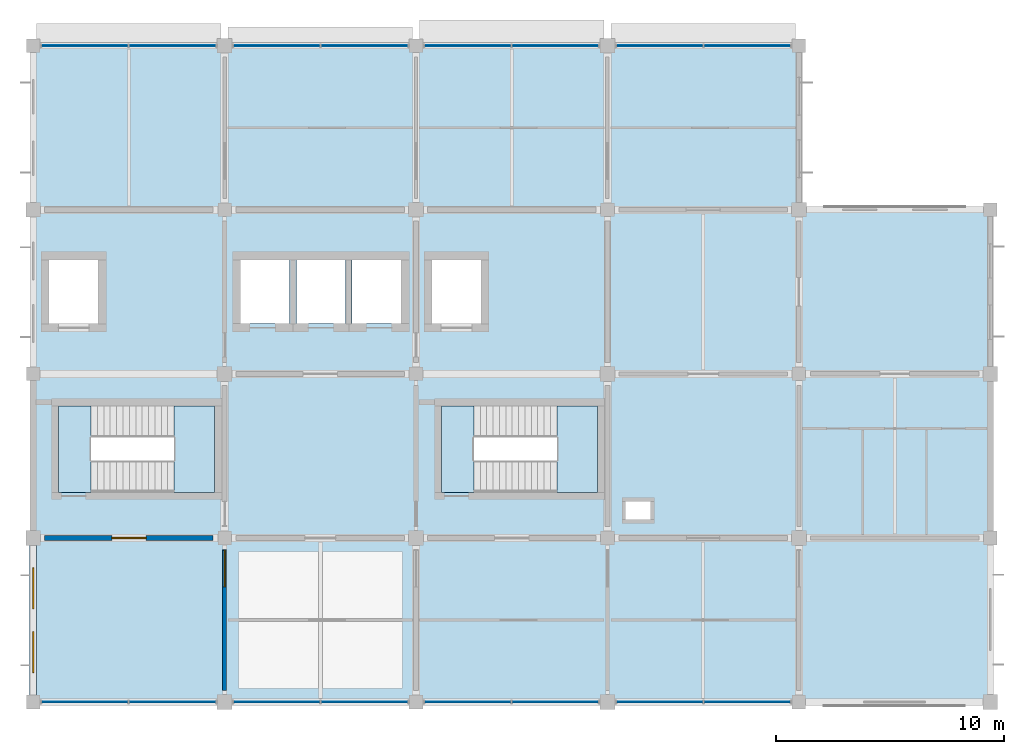
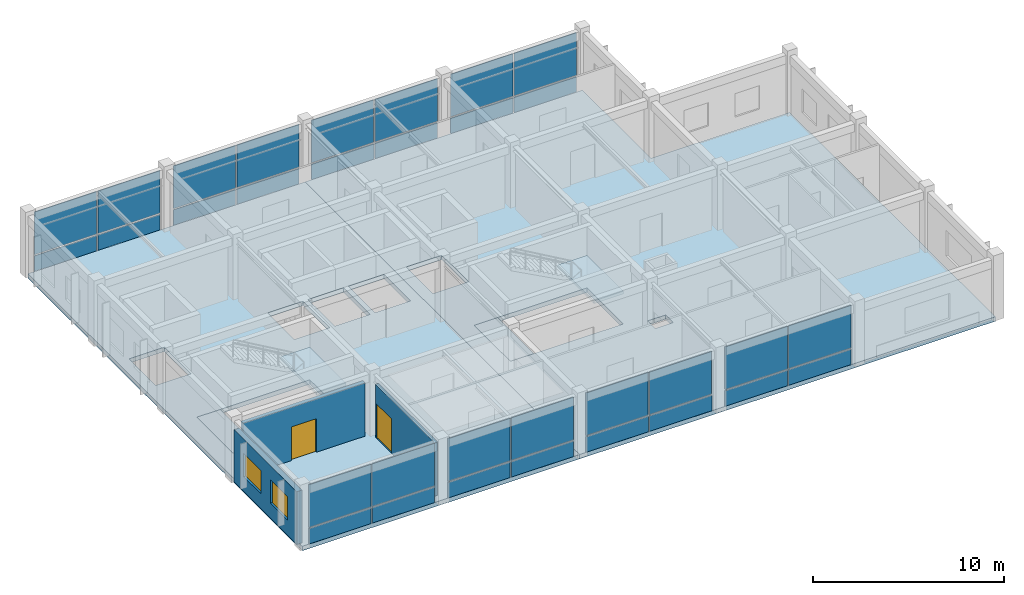
# One storey, part 7 of 13: 32 plates, 6 slabs, 3 walls, 2 doors, 2 windows, 4 openings, 10 elements without a shape of their own.
"""IFC4 building model written with IfcOpenShell, lengths in metres."""

import ifcopenshell
import ifcopenshell.guid

model = None  # the IFC model being written
_history = None  # IfcOwnerHistory: only IFC2X3 demands one
_inside = {}  # id of a spatial element -> (the spatial element, [elements in it])
_under = {}  # id of a project, library or spatial element -> (it, [spatial elements below it])
_declared = {}  # id of a project -> (the project, [libraries it declares])
_typed = {}  # id of a type object -> (the type object, [elements of that type])
_made_of = {}  # id of a material, layer set ... -> (it, [elements and type objects made of it])


def new_model(schema):
    """Start an empty IFC model of exactly this schema.

    Asked for "IFC4X3", IfcOpenShell would pick the latest addendum, in which some entities
    have other attributes; the version numbers below select the first issue.
    IFC2X3 requires an IfcOwnerHistory on every rooted entity: one is made here for all.
    """
    global model, _history
    if schema == "IFC4X3":
        model = ifcopenshell.file(schema_version=(4, 3, 0, 0))
    else:
        model = ifcopenshell.file(schema=schema)
    _inside.clear()
    _under.clear()
    _declared.clear()
    _typed.clear()
    _made_of.clear()
    _history = None
    if model.schema == "IFC2X3":
        org = make("IfcOrganization", Name="unknown")
        user = make(
            "IfcPersonAndOrganization",
            ThePerson=make("IfcPerson", FamilyName="unknown"),
            TheOrganization=org,
        )
        app = make(
            "IfcApplication",
            ApplicationDeveloper=org,
            Version="unknown",
            ApplicationFullName="unknown",
            ApplicationIdentifier="unknown",
        )
        _history = make(
            "IfcOwnerHistory",
            OwningUser=user,
            OwningApplication=app,
            ChangeAction="ADDED",
            CreationDate=0,
        )
    return model


def make(cls, **values):
    """One entity of the class cls with the attributes given. An attribute that is None is left unset."""
    return model.create_entity(
        cls, **{name: value for name, value in values.items() if value is not None}
    )


def rooted(cls, **values):
    """An entity with a GlobalId (a new one), such as an element, a storey or a relation."""
    return make(cls, GlobalId=ifcopenshell.guid.new(), OwnerHistory=_history, **values)


def si_unit(unit_type, name, prefix=None):
    """IfcSIUnit, for example si_unit("LENGTHUNIT", "METRE", prefix="MILLI")."""
    return make("IfcSIUnit", UnitType=unit_type, Prefix=prefix, Name=name)


def derived_unit(unit_type, elements):
    """IfcDerivedUnit: a product of units, each with its exponent."""
    return make(
        "IfcDerivedUnit",
        Elements=[
            make("IfcDerivedUnitElement", Unit=unit, Exponent=power)
            for unit, power in elements
        ],
        UnitType=unit_type,
    )


def assignment(units):
    """IfcUnitAssignment: the units of a project."""
    return None if units is None else make("IfcUnitAssignment", Units=units)


def point(xyz):
    """IfcCartesianPoint."""
    return None if xyz is None else make("IfcCartesianPoint", Coordinates=xyz)


def direction(xyz):
    """IfcDirection."""
    return None if xyz is None else make("IfcDirection", DirectionRatios=xyz)


def frame(location, z_axis=None, x_axis=None):
    """IfcAxis2Placement3D, a coordinate frame: its origin and axes. An axis left out is left unset."""
    return make(
        "IfcAxis2Placement3D",
        Location=point(location),
        Axis=direction(z_axis),
        RefDirection=direction(x_axis),
    )


def frame_2d(location, x_axis=None):
    """IfcAxis2Placement2D, a coordinate frame in the plane: its origin and x axis."""
    return make(
        "IfcAxis2Placement2D", Location=point(location), RefDirection=direction(x_axis)
    )


def origin():
    """The frame at (0, 0, 0) with its axes left unset."""
    return frame((0.0, 0.0, 0.0))


def origin_2d():
    """The frame at (0, 0) in the plane with its x axis left unset."""
    return frame_2d((0.0, 0.0))


def place(relative_to, where):
    """IfcLocalPlacement: puts the frame where relative to a parent placement (None: the world)."""
    return make(
        "IfcLocalPlacement", PlacementRelTo=relative_to, RelativePlacement=where
    )


def context(
    kind, dimensions, precision=None, world=None, true_north=None, identifier=None
):
    """IfcGeometricRepresentationContext, for example the 3D "Model" context."""
    return make(
        "IfcGeometricRepresentationContext",
        ContextIdentifier=identifier,
        ContextType=kind,
        CoordinateSpaceDimension=dimensions,
        Precision=precision,
        WorldCoordinateSystem=world,
        TrueNorth=true_north,
    )


def subcontext(parent, identifier, kind, view, scale=None):
    """IfcGeometricRepresentationSubContext, for example "Body" below "Model"."""
    return make(
        "IfcGeometricRepresentationSubContext",
        ContextIdentifier=identifier,
        ContextType=kind,
        ParentContext=parent,
        TargetScale=scale,
        TargetView=view,
    )


def project(units=None, contexts=None):
    """IfcProject with its units and contexts."""
    return rooted(
        "IfcProject",
        Name="project",
        RepresentationContexts=contexts,
        UnitsInContext=assignment(units),
    )


def spatial(cls, under=None, at=None, **own):
    """A site, building, storey or space (cls), placed at a placement, below another one or the project."""
    s = rooted(cls, ObjectPlacement=at, **own)
    if under is not None:
        _under.setdefault(under.id(), (under, []))[1].append(s)
    return s


def polyline(points):
    """IfcPolyline through the points."""
    return make("IfcPolyline", Points=[point(p) for p in points])


def profile(cls, at=None, kind="AREA", **sizes):
    """A parametric profile (cls). Its sizes go by their IFC names, for example OverallWidth=200.0."""
    return make(cls, ProfileType=kind, Position=at, **sizes)


def rectangle(**sizes):
    """IfcRectangleProfileDef."""
    return profile("IfcRectangleProfileDef", **sizes)


def outline(outer, holes=None, kind="AREA"):
    """IfcArbitraryClosedProfileDef: a profile drawn as a closed curve; with holes, ...WithVoids."""
    if holes is None:
        return make("IfcArbitraryClosedProfileDef", ProfileType=kind, OuterCurve=outer)
    return make(
        "IfcArbitraryProfileDefWithVoids",
        ProfileType=kind,
        OuterCurve=outer,
        InnerCurves=holes,
    )


def extrude(swept, where, along, depth):
    """IfcExtrudedAreaSolid: the profile swept, set in the frame where, extruded along a direction by depth."""
    return make(
        "IfcExtrudedAreaSolid",
        SweptArea=swept,
        Position=where,
        ExtrudedDirection=direction(along),
        Depth=depth,
    )


def shape(context_of_items, identifier, shape_type, items):
    """IfcShapeRepresentation: the items that make up one representation, for example the "Body"."""
    return make(
        "IfcShapeRepresentation",
        ContextOfItems=context_of_items,
        RepresentationIdentifier=identifier,
        RepresentationType=shape_type,
        Items=items,
    )


def material(Name=None, Category=None):
    """IfcMaterial."""
    return make("IfcMaterial", Name=Name, Category=Category)


def layer(
    of_material, thickness, ventilated=None, Name=None, Category=None, Priority=None
):
    """IfcMaterialLayer: one layer of a wall or slab, of a material (None: an air gap)."""
    return make(
        "IfcMaterialLayer",
        Material=of_material,
        LayerThickness=thickness,
        IsVentilated=ventilated,
        Name=Name,
        Category=Category,
        Priority=Priority,
    )


def layer_set(layers, Name=None):
    """IfcMaterialLayerSet."""
    return make("IfcMaterialLayerSet", MaterialLayers=layers, LayerSetName=Name)


def made_of(thing, what):
    """Note that an element or type object is made of a material, layer set ...; save() writes the relation."""
    if what is not None:
        _made_of.setdefault(what.id(), (what, []))[1].append(thing)
    return thing


def type_object(cls, material=None, **own):
    """A type object (cls), such as IfcWallType, which elements share."""
    return made_of(rooted(cls, **own), material)


def element(
    cls,
    number,
    at=None,
    inside=None,
    cuts=None,
    type_object=None,
    material=None,
    context=None,
    identifier="Body",
    shape_type=None,
    held_by="IfcProductDefinitionShape",
    body=None,
    shapes=None,
    **own,
):
    """One element of the class cls, such as IfcWall. Its Tag is "e" and its number.

    at: its placement. inside: the storey or other place that contains it. cuts: it is an
    opening in that element (IfcRelVoidsElement). A single representation is given by context,
    identifier, shape_type and body (its items); several are given by shapes. held_by: the class
    of the entity that holds the representations. save() writes the other relations.
    """
    e = rooted(cls, Tag="e%d" % number, ObjectPlacement=at, **own)
    if body is not None:
        shapes = [shape(context, identifier, shape_type, body)]
    if shapes is not None:
        e.Representation = make(held_by, Representations=shapes)
    if inside is not None:
        _inside.setdefault(inside.id(), (inside, []))[1].append(e)
    if cuts is not None:
        rooted(
            "IfcRelVoidsElement", RelatingBuildingElement=cuts, RelatedOpeningElement=e
        )
    if type_object is not None:
        _typed.setdefault(type_object.id(), (type_object, []))[1].append(e)
    return made_of(e, material)


def fill(opening, filler):
    """IfcRelFillsElement: the door or window that sits in an opening."""
    return rooted(
        "IfcRelFillsElement",
        RelatingOpeningElement=opening,
        RelatedBuildingElement=filler,
    )


def aggregate(whole, parts):
    """IfcRelAggregates: a whole, such as a stair, and the parts it consists of."""
    return rooted("IfcRelAggregates", RelatingObject=whole, RelatedObjects=parts)


def save(model, path):
    """Write the relations noted so far, then the file.

    IfcRelAggregates (storeys below a building ...), IfcRelContainedInSpatialStructure (elements
    in a storey), IfcRelDefinesByType, IfcRelAssociatesMaterial and IfcRelDeclares: one each for
    every whole, place, type object, material and project.
    """
    for whole, parts in _under.values():
        aggregate(whole, parts)
    for where, things in _inside.values():
        rooted(
            "IfcRelContainedInSpatialStructure",
            RelatedElements=things,
            RelatingStructure=where,
        )
    for kind, things in _typed.values():
        rooted("IfcRelDefinesByType", RelatedObjects=things, RelatingType=kind)
    for what, things in _made_of.values():
        rooted("IfcRelAssociatesMaterial", RelatedObjects=things, RelatingMaterial=what)
    for by, libraries in _declared.values():
        rooted("IfcRelDeclares", RelatingContext=by, RelatedDefinitions=libraries)
    model.write(path)


model = new_model("IFC4")

# Units and contexts
model_context = context("Model", 3, precision=1e-05, world=origin(), true_north=direction((0.0, 1.0)))
body_context = subcontext(model_context, "Body", "Model", "MODEL_VIEW")
ifc_project = project(units=[si_unit("LENGTHUNIT", "METRE"), si_unit("AREAUNIT", "SQUARE_METRE"), si_unit("VOLUMEUNIT", "CUBIC_METRE"), si_unit("PLANEANGLEUNIT", "RADIAN"), si_unit("MASSUNIT", "GRAM", prefix="KILO"), derived_unit("THERMALTRANSMITTANCEUNIT", [(si_unit("MASSUNIT", "GRAM", prefix="KILO"), 1), (si_unit("TIMEUNIT", "SECOND"), -3), (si_unit("THERMODYNAMICTEMPERATUREUNIT", "KELVIN"), -1)])], contexts=[model_context])

# Site, building, storey
site_placement = place(None, origin())
site = spatial("IfcSite", under=ifc_project, at=site_placement, CompositionType="ELEMENT")
building_placement = place(site_placement, origin())
building = spatial("IfcBuilding", under=site, at=building_placement, Name="Veldstrom Oceanarium and Marine Research Institute", CompositionType="ELEMENT")
storey_placement = place(building_placement, frame((0.0, 0.0, 56.39990234375)))
storey = spatial("IfcBuildingStorey", under=building, at=storey_placement, Name="L12", CompositionType="ELEMENT", Elevation=56.39990234375)

# Curtain wall, plates
ifc_material_1 = material(Name="Anodised Aluminium Framing", Category="aluminium")
curtain_wall_type = type_object("IfcCurtainWallType", Name="ARC-CW-CW04", PredefinedType="USERDEFINED", material=ifc_material_1)
curtain_wall_1_placement = place(storey_placement, origin())
curtain_wall_1 = element("IfcCurtainWall", 1, at=curtain_wall_1_placement, inside=storey, type_object=curtain_wall_type, Name="Curtain Wall CW04 CW-L12-159", ObjectType="Curtain wall", PredefinedType="USERDEFINED")
ifc_material_2 = material(Name="Double Glazed Low-E IGU", Category="glass")
ifc_layer_1 = layer(ifc_material_2, 0.035888671875)
ifc_layer_set_1 = layer_set([ifc_layer_1], Name="ARC-PLT-CP03")
plate_type_1 = type_object("IfcPlateType", Name="ARC-PLT-CP03", PredefinedType="CURTAIN_PANEL", material=ifc_layer_set_1)
plate_1_placement = place(storey_placement, frame((77.86376953125, 43.199951171875, 1.09033203125), z_axis=(0.0, 0.0, 1.0), x_axis=(1.0, 0.0, 0.0)))
plate_1 = element("IfcPlate", 2, at=plate_1_placement, type_object=plate_type_1, Name="Curtain Vision Panel CW-L12-159-PNL-V1", PredefinedType="CURTAIN_PANEL", context=body_context, shape_type="SweptSolid", body=[
    extrude(rectangle(XDim=3.767578125, YDim=0.035888671875, at=origin_2d()), origin(), (0.0, 0.0, 1.0), 2.739990234375),
])
plate_2_placement = place(storey_placement, frame((81.711181640625, 43.199951171875, 1.09033203125), z_axis=(0.0, 0.0, 1.0), x_axis=(1.0, 0.0, 0.0)))
plate_2 = element("IfcPlate", 3, at=plate_2_placement, type_object=plate_type_1, Name="Curtain Vision Panel CW-L12-159-PNL-V2", PredefinedType="CURTAIN_PANEL", context=body_context, shape_type="SweptSolid", body=[
    extrude(rectangle(XDim=3.767578125, YDim=0.035888671875, at=origin_2d()), origin(), (0.0, 0.0, 1.0), 2.739990234375),
])

curtain_wall_2_placement = place(storey_placement, origin())
curtain_wall_2 = element("IfcCurtainWall", 4, at=curtain_wall_2_placement, inside=storey, type_object=curtain_wall_type, Name="Curtain Wall CW04 CW-L12-160", ObjectType="Curtain wall", PredefinedType="USERDEFINED")
plate_3_placement = place(storey_placement, frame((77.86376953125, 72.0, 1.09033203125), z_axis=(0.0, 0.0, 1.0), x_axis=(1.0, 0.0, 0.0)))
plate_3 = element("IfcPlate", 5, at=plate_3_placement, type_object=plate_type_1, Name="Curtain Vision Panel CW-L12-160-PNL-V1", PredefinedType="CURTAIN_PANEL", context=body_context, shape_type="SweptSolid", body=[
    extrude(rectangle(XDim=3.767578125, YDim=0.035888671875, at=origin_2d()), origin(), (0.0, 0.0, 1.0), 2.739990234375),
])
plate_4_placement = place(storey_placement, frame((81.711181640625, 72.0, 1.09033203125), z_axis=(0.0, 0.0, 1.0), x_axis=(1.0, 0.0, 0.0)))
plate_4 = element("IfcPlate", 6, at=plate_4_placement, type_object=plate_type_1, Name="Curtain Vision Panel CW-L12-160-PNL-V2", PredefinedType="CURTAIN_PANEL", context=body_context, shape_type="SweptSolid", body=[
    extrude(rectangle(XDim=3.767578125, YDim=0.035888671875, at=origin_2d()), origin(), (0.0, 0.0, 1.0), 2.739990234375),
])

curtain_wall_3_placement = place(storey_placement, origin())
curtain_wall_3 = element("IfcCurtainWall", 7, at=curtain_wall_3_placement, inside=storey, type_object=curtain_wall_type, Name="Curtain Wall CW04 CW-L12-161", ObjectType="Curtain wall", PredefinedType="USERDEFINED")
plate_5_placement = place(storey_placement, frame((86.288818359375, 43.199951171875, 1.09033203125), z_axis=(0.0, 0.0, 1.0), x_axis=(1.0, 0.0, 0.0)))
plate_5 = element("IfcPlate", 8, at=plate_5_placement, type_object=plate_type_1, Name="Curtain Vision Panel CW-L12-161-PNL-V1", PredefinedType="CURTAIN_PANEL", context=body_context, shape_type="SweptSolid", body=[
    extrude(rectangle(XDim=3.767578125, YDim=0.035888671875, at=origin_2d()), origin(), (0.0, 0.0, 1.0), 2.739990234375),
])
plate_6_placement = place(storey_placement, frame((90.13623046875, 43.199951171875, 1.09033203125), z_axis=(0.0, 0.0, 1.0), x_axis=(1.0, 0.0, 0.0)))
plate_6 = element("IfcPlate", 9, at=plate_6_placement, type_object=plate_type_1, Name="Curtain Vision Panel CW-L12-161-PNL-V2", PredefinedType="CURTAIN_PANEL", context=body_context, shape_type="SweptSolid", body=[
    extrude(rectangle(XDim=3.767578125, YDim=0.035888671875, at=origin_2d()), origin(), (0.0, 0.0, 1.0), 2.739990234375),
])

curtain_wall_4_placement = place(storey_placement, origin())
curtain_wall_4 = element("IfcCurtainWall", 10, at=curtain_wall_4_placement, inside=storey, type_object=curtain_wall_type, Name="Curtain Wall CW04 CW-L12-162", ObjectType="Curtain wall", PredefinedType="USERDEFINED")
plate_7_placement = place(storey_placement, frame((86.288818359375, 72.0, 1.09033203125), z_axis=(0.0, 0.0, 1.0), x_axis=(1.0, 0.0, 0.0)))
plate_7 = element("IfcPlate", 11, at=plate_7_placement, type_object=plate_type_1, Name="Curtain Vision Panel CW-L12-162-PNL-V1", PredefinedType="CURTAIN_PANEL", context=body_context, shape_type="SweptSolid", body=[
    extrude(rectangle(XDim=3.767578125, YDim=0.035888671875, at=origin_2d()), origin(), (0.0, 0.0, 1.0), 2.739990234375),
])
plate_8_placement = place(storey_placement, frame((90.13623046875, 72.0, 1.09033203125), z_axis=(0.0, 0.0, 1.0), x_axis=(1.0, 0.0, 0.0)))
plate_8 = element("IfcPlate", 12, at=plate_8_placement, type_object=plate_type_1, Name="Curtain Vision Panel CW-L12-162-PNL-V2", PredefinedType="CURTAIN_PANEL", context=body_context, shape_type="SweptSolid", body=[
    extrude(rectangle(XDim=3.767578125, YDim=0.035888671875, at=origin_2d()), origin(), (0.0, 0.0, 1.0), 2.739990234375),
])

curtain_wall_5_placement = place(storey_placement, origin())
curtain_wall_5 = element("IfcCurtainWall", 13, at=curtain_wall_5_placement, inside=storey, type_object=curtain_wall_type, Name="Curtain Wall CW04 CW-L12-163", ObjectType="Curtain wall", PredefinedType="USERDEFINED")
plate_9_placement = place(storey_placement, frame((94.663818359375, 43.199951171875, 1.09033203125), z_axis=(0.0, 0.0, 1.0), x_axis=(1.0, 0.0, 0.0)))
plate_9 = element("IfcPlate", 14, at=plate_9_placement, type_object=plate_type_1, Name="Curtain Vision Panel CW-L12-163-PNL-V1", PredefinedType="CURTAIN_PANEL", context=body_context, shape_type="SweptSolid", body=[
    extrude(rectangle(XDim=3.767578125, YDim=0.035888671875, at=origin_2d()), origin(), (0.0, 0.0, 1.0), 2.739990234375),
])
plate_10_placement = place(storey_placement, frame((98.51123046875, 43.199951171875, 1.09033203125), z_axis=(0.0, 0.0, 1.0), x_axis=(1.0, 0.0, 0.0)))
plate_10 = element("IfcPlate", 15, at=plate_10_placement, type_object=plate_type_1, Name="Curtain Vision Panel CW-L12-163-PNL-V2", PredefinedType="CURTAIN_PANEL", context=body_context, shape_type="SweptSolid", body=[
    extrude(rectangle(XDim=3.767578125, YDim=0.035888671875, at=origin_2d()), origin(), (0.0, 0.0, 1.0), 2.739990234375),
])

curtain_wall_6_placement = place(storey_placement, origin())
curtain_wall_6 = element("IfcCurtainWall", 16, at=curtain_wall_6_placement, inside=storey, type_object=curtain_wall_type, Name="Curtain Wall CW04 CW-L12-164", ObjectType="Curtain wall", PredefinedType="USERDEFINED")
plate_11_placement = place(storey_placement, frame((94.663818359375, 72.0, 1.09033203125), z_axis=(0.0, 0.0, 1.0), x_axis=(1.0, 0.0, 0.0)))
plate_11 = element("IfcPlate", 17, at=plate_11_placement, type_object=plate_type_1, Name="Curtain Vision Panel CW-L12-164-PNL-V1", PredefinedType="CURTAIN_PANEL", context=body_context, shape_type="SweptSolid", body=[
    extrude(rectangle(XDim=3.767578125, YDim=0.035888671875, at=origin_2d()), origin(), (0.0, 0.0, 1.0), 2.739990234375),
])
plate_12_placement = place(storey_placement, frame((98.51123046875, 72.0, 1.09033203125), z_axis=(0.0, 0.0, 1.0), x_axis=(1.0, 0.0, 0.0)))
plate_12 = element("IfcPlate", 18, at=plate_12_placement, type_object=plate_type_1, Name="Curtain Vision Panel CW-L12-164-PNL-V2", PredefinedType="CURTAIN_PANEL", context=body_context, shape_type="SweptSolid", body=[
    extrude(rectangle(XDim=3.767578125, YDim=0.035888671875, at=origin_2d()), origin(), (0.0, 0.0, 1.0), 2.739990234375),
])

curtain_wall_7_placement = place(storey_placement, origin())
curtain_wall_7 = element("IfcCurtainWall", 19, at=curtain_wall_7_placement, inside=storey, type_object=curtain_wall_type, Name="Curtain Wall CW04 CW-L12-165", ObjectType="Curtain wall", PredefinedType="USERDEFINED")
plate_13_placement = place(storey_placement, frame((103.0888671875, 43.199951171875, 1.09033203125), z_axis=(0.0, 0.0, 1.0), x_axis=(1.0, 0.0, 0.0)))
plate_13 = element("IfcPlate", 20, at=plate_13_placement, type_object=plate_type_1, Name="Curtain Vision Panel CW-L12-165-PNL-V1", PredefinedType="CURTAIN_PANEL", context=body_context, shape_type="SweptSolid", body=[
    extrude(rectangle(XDim=3.767578125, YDim=0.035888671875, at=origin_2d()), origin(), (0.0, 0.0, 1.0), 2.739990234375),
])
plate_14_placement = place(storey_placement, frame((106.936279296875, 43.199951171875, 1.09033203125), z_axis=(0.0, 0.0, 1.0), x_axis=(1.0, 0.0, 0.0)))
plate_14 = element("IfcPlate", 21, at=plate_14_placement, type_object=plate_type_1, Name="Curtain Vision Panel CW-L12-165-PNL-V2", PredefinedType="CURTAIN_PANEL", context=body_context, shape_type="SweptSolid", body=[
    extrude(rectangle(XDim=3.767578125, YDim=0.035888671875, at=origin_2d()), origin(), (0.0, 0.0, 1.0), 2.739990234375),
])

curtain_wall_8_placement = place(storey_placement, origin())
curtain_wall_8 = element("IfcCurtainWall", 22, at=curtain_wall_8_placement, inside=storey, type_object=curtain_wall_type, Name="Curtain Wall CW04 CW-L12-166", ObjectType="Curtain wall", PredefinedType="USERDEFINED")
plate_15_placement = place(storey_placement, frame((103.0888671875, 72.0, 1.09033203125), z_axis=(0.0, 0.0, 1.0), x_axis=(1.0, 0.0, 0.0)))
plate_15 = element("IfcPlate", 23, at=plate_15_placement, type_object=plate_type_1, Name="Curtain Vision Panel CW-L12-166-PNL-V1", PredefinedType="CURTAIN_PANEL", context=body_context, shape_type="SweptSolid", body=[
    extrude(rectangle(XDim=3.767578125, YDim=0.035888671875, at=origin_2d()), origin(), (0.0, 0.0, 1.0), 2.739990234375),
])
plate_16_placement = place(storey_placement, frame((106.936279296875, 72.0, 1.09033203125), z_axis=(0.0, 0.0, 1.0), x_axis=(1.0, 0.0, 0.0)))
plate_16 = element("IfcPlate", 24, at=plate_16_placement, type_object=plate_type_1, Name="Curtain Vision Panel CW-L12-166-PNL-V2", PredefinedType="CURTAIN_PANEL", context=body_context, shape_type="SweptSolid", body=[
    extrude(rectangle(XDim=3.767578125, YDim=0.035888671875, at=origin_2d()), origin(), (0.0, 0.0, 1.0), 2.739990234375),
])

# Plate
ifc_material_3 = material(Name="Insulated Aluminium Spandrel", Category="aluminium")
ifc_layer_2 = layer(ifc_material_3, 0.044921875)
ifc_layer_set_2 = layer_set([ifc_layer_2], Name="ARC-PLT-CP04")
plate_type_2 = type_object("IfcPlateType", Name="ARC-PLT-CP04", PredefinedType="CURTAIN_PANEL", material=ifc_layer_set_2)
plate_17_placement = place(storey_placement, frame((77.86376953125, 43.199951171875, 0.02001953125), z_axis=(0.0, 0.0, 1.0), x_axis=(1.0, 0.0, 0.0)))
plate_17 = element("IfcPlate", 25, at=plate_17_placement, type_object=plate_type_2, Name="Curtain Spandrel Panel CW-L12-159-PNL-S1", PredefinedType="CURTAIN_PANEL", context=body_context, shape_type="SweptSolid", body=[
    extrude(rectangle(XDim=3.767578125, YDim=0.044921875, at=origin_2d()), origin(), (0.0, 0.0, 1.0), 0.989990234375),
])

plate_18_placement = place(storey_placement, frame((81.711181640625, 43.199951171875, 0.02001953125), z_axis=(0.0, 0.0, 1.0), x_axis=(1.0, 0.0, 0.0)))
plate_18 = element("IfcPlate", 26, at=plate_18_placement, type_object=plate_type_2, Name="Curtain Spandrel Panel CW-L12-159-PNL-S2", PredefinedType="CURTAIN_PANEL", context=body_context, shape_type="SweptSolid", body=[
    extrude(rectangle(XDim=3.767578125, YDim=0.044921875, at=origin_2d()), origin(), (0.0, 0.0, 1.0), 0.989990234375),
])

aggregate(curtain_wall_1, [plate_17, plate_1, plate_18, plate_2])

plate_19_placement = place(storey_placement, frame((77.86376953125, 72.0, 0.02001953125), z_axis=(0.0, 0.0, 1.0), x_axis=(1.0, 0.0, 0.0)))
plate_19 = element("IfcPlate", 27, at=plate_19_placement, type_object=plate_type_2, Name="Curtain Spandrel Panel CW-L12-160-PNL-S1", PredefinedType="CURTAIN_PANEL", context=body_context, shape_type="SweptSolid", body=[
    extrude(rectangle(XDim=3.767578125, YDim=0.044921875, at=origin_2d()), origin(), (0.0, 0.0, 1.0), 0.989990234375),
])

plate_20_placement = place(storey_placement, frame((81.711181640625, 72.0, 0.02001953125), z_axis=(0.0, 0.0, 1.0), x_axis=(1.0, 0.0, 0.0)))
plate_20 = element("IfcPlate", 28, at=plate_20_placement, type_object=plate_type_2, Name="Curtain Spandrel Panel CW-L12-160-PNL-S2", PredefinedType="CURTAIN_PANEL", context=body_context, shape_type="SweptSolid", body=[
    extrude(rectangle(XDim=3.767578125, YDim=0.044921875, at=origin_2d()), origin(), (0.0, 0.0, 1.0), 0.989990234375),
])

aggregate(curtain_wall_2, [plate_19, plate_3, plate_20, plate_4])

plate_21_placement = place(storey_placement, frame((86.288818359375, 43.199951171875, 0.02001953125), z_axis=(0.0, 0.0, 1.0), x_axis=(1.0, 0.0, 0.0)))
plate_21 = element("IfcPlate", 29, at=plate_21_placement, type_object=plate_type_2, Name="Curtain Spandrel Panel CW-L12-161-PNL-S1", PredefinedType="CURTAIN_PANEL", context=body_context, shape_type="SweptSolid", body=[
    extrude(rectangle(XDim=3.767578125, YDim=0.044921875, at=origin_2d()), origin(), (0.0, 0.0, 1.0), 0.989990234375),
])

plate_22_placement = place(storey_placement, frame((90.13623046875, 43.199951171875, 0.02001953125), z_axis=(0.0, 0.0, 1.0), x_axis=(1.0, 0.0, 0.0)))
plate_22 = element("IfcPlate", 30, at=plate_22_placement, type_object=plate_type_2, Name="Curtain Spandrel Panel CW-L12-161-PNL-S2", PredefinedType="CURTAIN_PANEL", context=body_context, shape_type="SweptSolid", body=[
    extrude(rectangle(XDim=3.767578125, YDim=0.044921875, at=origin_2d()), origin(), (0.0, 0.0, 1.0), 0.989990234375),
])

aggregate(curtain_wall_3, [plate_21, plate_5, plate_22, plate_6])

plate_23_placement = place(storey_placement, frame((86.288818359375, 72.0, 0.02001953125), z_axis=(0.0, 0.0, 1.0), x_axis=(1.0, 0.0, 0.0)))
plate_23 = element("IfcPlate", 31, at=plate_23_placement, type_object=plate_type_2, Name="Curtain Spandrel Panel CW-L12-162-PNL-S1", PredefinedType="CURTAIN_PANEL", context=body_context, shape_type="SweptSolid", body=[
    extrude(rectangle(XDim=3.767578125, YDim=0.044921875, at=origin_2d()), origin(), (0.0, 0.0, 1.0), 0.989990234375),
])

plate_24_placement = place(storey_placement, frame((90.13623046875, 72.0, 0.02001953125), z_axis=(0.0, 0.0, 1.0), x_axis=(1.0, 0.0, 0.0)))
plate_24 = element("IfcPlate", 32, at=plate_24_placement, type_object=plate_type_2, Name="Curtain Spandrel Panel CW-L12-162-PNL-S2", PredefinedType="CURTAIN_PANEL", context=body_context, shape_type="SweptSolid", body=[
    extrude(rectangle(XDim=3.767578125, YDim=0.044921875, at=origin_2d()), origin(), (0.0, 0.0, 1.0), 0.989990234375),
])

aggregate(curtain_wall_4, [plate_23, plate_7, plate_24, plate_8])

plate_25_placement = place(storey_placement, frame((94.663818359375, 43.199951171875, 0.02001953125), z_axis=(0.0, 0.0, 1.0), x_axis=(1.0, 0.0, 0.0)))
plate_25 = element("IfcPlate", 33, at=plate_25_placement, type_object=plate_type_2, Name="Curtain Spandrel Panel CW-L12-163-PNL-S1", PredefinedType="CURTAIN_PANEL", context=body_context, shape_type="SweptSolid", body=[
    extrude(rectangle(XDim=3.767578125, YDim=0.044921875, at=origin_2d()), origin(), (0.0, 0.0, 1.0), 0.989990234375),
])

plate_26_placement = place(storey_placement, frame((98.51123046875, 43.199951171875, 0.02001953125), z_axis=(0.0, 0.0, 1.0), x_axis=(1.0, 0.0, 0.0)))
plate_26 = element("IfcPlate", 34, at=plate_26_placement, type_object=plate_type_2, Name="Curtain Spandrel Panel CW-L12-163-PNL-S2", PredefinedType="CURTAIN_PANEL", context=body_context, shape_type="SweptSolid", body=[
    extrude(rectangle(XDim=3.767578125, YDim=0.044921875, at=origin_2d()), origin(), (0.0, 0.0, 1.0), 0.989990234375),
])

aggregate(curtain_wall_5, [plate_25, plate_9, plate_26, plate_10])

plate_27_placement = place(storey_placement, frame((94.663818359375, 72.0, 0.02001953125), z_axis=(0.0, 0.0, 1.0), x_axis=(1.0, 0.0, 0.0)))
plate_27 = element("IfcPlate", 35, at=plate_27_placement, type_object=plate_type_2, Name="Curtain Spandrel Panel CW-L12-164-PNL-S1", PredefinedType="CURTAIN_PANEL", context=body_context, shape_type="SweptSolid", body=[
    extrude(rectangle(XDim=3.767578125, YDim=0.044921875, at=origin_2d()), origin(), (0.0, 0.0, 1.0), 0.989990234375),
])

plate_28_placement = place(storey_placement, frame((98.51123046875, 72.0, 0.02001953125), z_axis=(0.0, 0.0, 1.0), x_axis=(1.0, 0.0, 0.0)))
plate_28 = element("IfcPlate", 36, at=plate_28_placement, type_object=plate_type_2, Name="Curtain Spandrel Panel CW-L12-164-PNL-S2", PredefinedType="CURTAIN_PANEL", context=body_context, shape_type="SweptSolid", body=[
    extrude(rectangle(XDim=3.767578125, YDim=0.044921875, at=origin_2d()), origin(), (0.0, 0.0, 1.0), 0.989990234375),
])

aggregate(curtain_wall_6, [plate_27, plate_11, plate_28, plate_12])

plate_29_placement = place(storey_placement, frame((103.0888671875, 43.199951171875, 0.02001953125), z_axis=(0.0, 0.0, 1.0), x_axis=(1.0, 0.0, 0.0)))
plate_29 = element("IfcPlate", 37, at=plate_29_placement, type_object=plate_type_2, Name="Curtain Spandrel Panel CW-L12-165-PNL-S1", PredefinedType="CURTAIN_PANEL", context=body_context, shape_type="SweptSolid", body=[
    extrude(rectangle(XDim=3.767578125, YDim=0.044921875, at=origin_2d()), origin(), (0.0, 0.0, 1.0), 0.989990234375),
])

plate_30_placement = place(storey_placement, frame((106.936279296875, 43.199951171875, 0.02001953125), z_axis=(0.0, 0.0, 1.0), x_axis=(1.0, 0.0, 0.0)))
plate_30 = element("IfcPlate", 38, at=plate_30_placement, type_object=plate_type_2, Name="Curtain Spandrel Panel CW-L12-165-PNL-S2", PredefinedType="CURTAIN_PANEL", context=body_context, shape_type="SweptSolid", body=[
    extrude(rectangle(XDim=3.767578125, YDim=0.044921875, at=origin_2d()), origin(), (0.0, 0.0, 1.0), 0.989990234375),
])

aggregate(curtain_wall_7, [plate_29, plate_13, plate_30, plate_14])

plate_31_placement = place(storey_placement, frame((103.0888671875, 72.0, 0.02001953125), z_axis=(0.0, 0.0, 1.0), x_axis=(1.0, 0.0, 0.0)))
plate_31 = element("IfcPlate", 39, at=plate_31_placement, type_object=plate_type_2, Name="Curtain Spandrel Panel CW-L12-166-PNL-S1", PredefinedType="CURTAIN_PANEL", context=body_context, shape_type="SweptSolid", body=[
    extrude(rectangle(XDim=3.767578125, YDim=0.044921875, at=origin_2d()), origin(), (0.0, 0.0, 1.0), 0.989990234375),
])

plate_32_placement = place(storey_placement, frame((106.936279296875, 72.0, 0.02001953125), z_axis=(0.0, 0.0, 1.0), x_axis=(1.0, 0.0, 0.0)))
plate_32 = element("IfcPlate", 40, at=plate_32_placement, type_object=plate_type_2, Name="Curtain Spandrel Panel CW-L12-166-PNL-S2", PredefinedType="CURTAIN_PANEL", context=body_context, shape_type="SweptSolid", body=[
    extrude(rectangle(XDim=3.767578125, YDim=0.044921875, at=origin_2d()), origin(), (0.0, 0.0, 1.0), 0.989990234375),
])

aggregate(curtain_wall_8, [plate_31, plate_15, plate_32, plate_16])

# Slabs
ifc_material_4 = material(Name="Concrete C40/50", Category="concrete")
ifc_layer_3 = layer(ifc_material_4, 0.280029296875)
ifc_layer_set_3 = layer_set([ifc_layer_3], Name="STR-SLB-FL0280")
slab_type_1 = type_object("IfcSlabType", Name="STR-SLB-FL0280", PredefinedType="FLOOR", material=ifc_layer_set_3)
slab_1_placement = place(storey_placement, frame((0.0, 0.0, -0.27978515625)))
element("IfcSlab", 41, at=slab_1_placement, inside=storey, type_object=slab_type_1, Name="Slab SF-280 L12 CW", PredefinedType="FLOOR", context=body_context, shape_type="SweptSolid", body=[
    extrude(outline(polyline([(92.39990234375, 50.39990234375), (92.39990234375, 43.199951171875), (84.0, 43.199951171875), (75.60009765625, 43.199951171875), (75.60009765625, 50.39990234375), (75.60009765625, 57.60009765625), (75.60009765625, 64.800048828125), (75.60009765625, 72.0), (84.0, 72.0), (92.39990234375, 72.0), (92.39990234375, 64.800048828125), (92.39990234375, 57.60009765625), (92.39990234375, 50.39990234375)]), holes=[polyline([(76.719970703125, 52.39990234375), (83.56005859375, 52.39990234375), (83.56005859375, 56.199951171875), (76.719970703125, 56.199951171875), (76.719970703125, 52.39990234375)]), polyline([(78.449951171875, 62.60009765625), (76.300048828125, 62.60009765625), (76.300048828125, 59.800048828125), (78.449951171875, 59.800048828125), (78.449951171875, 62.60009765625)]), polyline([(84.699951171875, 59.800048828125), (86.85009765625, 59.800048828125), (86.85009765625, 62.60009765625), (84.699951171875, 62.60009765625), (84.699951171875, 59.800048828125)]), polyline([(87.14990234375, 62.60009765625), (87.14990234375, 59.800048828125), (89.300048828125, 59.800048828125), (89.300048828125, 62.60009765625), (87.14990234375, 62.60009765625)]), polyline([(91.75, 62.60009765625), (89.60009765625, 62.60009765625), (89.60009765625, 59.800048828125), (91.75, 59.800048828125), (91.75, 62.60009765625)])]), origin(), (0.0, 0.0, 1.0), 0.27978515625),
])
slab_2_placement = place(storey_placement, frame((0.0, 0.0, -0.27978515625)))
element("IfcSlab", 42, at=slab_2_placement, inside=storey, type_object=slab_type_1, Name="Slab SF-280 L12 CE", PredefinedType="FLOOR", context=body_context, shape_type="SweptSolid", body=[
    extrude(outline(polyline([(117.60009765625, 57.60009765625), (117.60009765625, 50.39990234375), (117.60009765625, 43.199951171875), (109.199951171875, 43.199951171875), (100.800048828125, 43.199951171875), (92.39990234375, 43.199951171875), (92.39990234375, 50.39990234375), (92.39990234375, 57.60009765625), (92.39990234375, 64.800048828125), (92.39990234375, 72.0), (100.800048828125, 72.0), (109.199951171875, 72.0), (109.199951171875, 64.800048828125), (117.60009765625, 64.800048828125), (117.60009765625, 57.60009765625)]), holes=[polyline([(93.52001953125, 52.39990234375), (100.360107421875, 52.39990234375), (100.360107421875, 56.199951171875), (93.52001953125, 56.199951171875), (93.52001953125, 52.39990234375)]), polyline([(95.25, 62.60009765625), (93.10009765625, 62.60009765625), (93.10009765625, 59.800048828125), (95.25, 59.800048828125), (95.25, 62.60009765625)]), polyline([(102.699951171875, 52.0), (101.60009765625, 52.0), (101.60009765625, 51.199951171875), (102.699951171875, 51.199951171875), (102.699951171875, 52.0)])]), origin(), (0.0, 0.0, 1.0), 0.27978515625),
])

# Stair, slab
ifc_material_5 = material(Name="Concrete C40/50", Category="concrete")
stair_type = type_object("IfcStairType", Name="ARC-STR-ST-420", PredefinedType="TWO_STRAIGHT_RUN_STAIR", material=ifc_material_5)
stair_1_placement = place(storey_placement, origin())
stair_1 = element("IfcStair", 43, at=stair_1_placement, inside=storey, type_object=stair_type, Name="Dog-Leg Escape Stair ST1-L12", PredefinedType="TWO_STRAIGHT_RUN_STAIR")
ifc_material_6 = material(Name="Concrete C40/50", Category="concrete")
ifc_layer_4 = layer(ifc_material_6, 0.179931640625)
ifc_layer_set_4 = layer_set([ifc_layer_4], Name="STR-SLB-LD180")
slab_type_2 = type_object("IfcSlabType", Name="STR-SLB-LD180", PredefinedType="LANDING", material=ifc_layer_set_4)
slab_3_placement = place(storey_placement, frame((0.0, 0.0, 1.920166015625)))
slab_3 = element("IfcSlab", 44, at=slab_3_placement, type_object=slab_type_2, Name="Stair Half-Landing ST1 L12", PredefinedType="LANDING", context=body_context, shape_type="SweptSolid", body=[
    extrude(outline(polyline([(81.780029296875, 52.39990234375), (83.56005859375, 52.39990234375), (83.56005859375, 56.199951171875), (81.780029296875, 56.199951171875), (81.780029296875, 52.39990234375)])), origin(), (0.0, 0.0, 1.0), 0.179931640625),
])
aggregate(stair_1, [slab_3])

stair_2_placement = place(storey_placement, origin())
stair_2 = element("IfcStair", 45, at=stair_2_placement, inside=storey, type_object=stair_type, Name="Dog-Leg Escape Stair ST2-L12", PredefinedType="TWO_STRAIGHT_RUN_STAIR")
slab_4_placement = place(storey_placement, frame((0.0, 0.0, 1.920166015625)))
slab_4 = element("IfcSlab", 46, at=slab_4_placement, type_object=slab_type_2, Name="Stair Half-Landing ST2 L12", PredefinedType="LANDING", context=body_context, shape_type="SweptSolid", body=[
    extrude(outline(polyline([(98.580078125, 52.39990234375), (100.360107421875, 52.39990234375), (100.360107421875, 56.199951171875), (98.580078125, 56.199951171875), (98.580078125, 52.39990234375)])), origin(), (0.0, 0.0, 1.0), 0.179931640625),
])
aggregate(stair_2, [slab_4])

# Slabs
ifc_material_7 = material(Name="Concrete C40/50", Category="concrete")
ifc_layer_5 = layer(ifc_material_7, 0.199951171875)
ifc_layer_set_5 = layer_set([ifc_layer_5], Name="STR-SLB-LD200")
slab_type_3 = type_object("IfcSlabType", Name="STR-SLB-LD200", PredefinedType="LANDING", material=ifc_layer_set_5)
slab_5_placement = place(storey_placement, frame((0.0, 0.0, -0.199951171875)))
element("IfcSlab", 47, at=slab_5_placement, inside=storey, type_object=slab_type_3, Name="Stair Floor Landing ST1 L12", PredefinedType="LANDING", context=body_context, shape_type="SweptSolid", body=[
    extrude(outline(polyline([(76.719970703125, 52.39990234375), (78.139892578125, 52.39990234375), (78.139892578125, 56.199951171875), (76.719970703125, 56.199951171875), (76.719970703125, 52.39990234375)])), origin(), (0.0, 0.0, 1.0), 0.199951171875),
])
slab_6_placement = place(storey_placement, frame((0.0, 0.0, -0.199951171875)))
element("IfcSlab", 48, at=slab_6_placement, inside=storey, type_object=slab_type_3, Name="Stair Floor Landing ST2 L12", PredefinedType="LANDING", context=body_context, shape_type="SweptSolid", body=[
    extrude(outline(polyline([(93.52001953125, 52.39990234375), (94.93994140625, 52.39990234375), (94.93994140625, 56.199951171875), (93.52001953125, 56.199951171875), (93.52001953125, 52.39990234375)])), origin(), (0.0, 0.0, 1.0), 0.199951171875),
])

# Wall, openings, windows
ifc_material_8 = material(Name="Masonry Cavity Wall", Category="masonry")
ifc_layer_6 = layer(ifc_material_8, 0.31005859375)
ifc_layer_set_6 = layer_set([ifc_layer_6], Name="ARC-WAL-EW1")
wall_type_1 = type_object("IfcWallType", Name="ARC-WAL-EW1", PredefinedType="SOLIDWALL", material=ifc_layer_set_6)
wall_1_placement = place(storey_placement, frame((75.60009765625, 43.5, 0.0), z_axis=(0.0, 0.0, 1.0), x_axis=(0.0, 1.0, 0.0)))
wall_1 = element("IfcWall", 49, at=wall_1_placement, inside=storey, type_object=wall_type_1, Name="Exterior Facade Wall EW1 L12-241", PredefinedType="SOLIDWALL", context=body_context, shape_type="SweptSolid", body=[
    extrude(rectangle(XDim=6.574951171875, YDim=0.31005859375, at=frame_2d((3.28759765625, 0.0))), origin(), (0.0, 0.0, 1.0), 3.364990234375),
])
opening_1_placement = place(wall_1_placement, frame((0.99169921875, 0.0, 0.949951171875)))
opening_1 = element("IfcOpeningElement", 50, at=opening_1_placement, cuts=wall_1, Name="Opening W14", PredefinedType="OPENING", context=body_context, shape_type="SweptSolid", body=[
    extrude(rectangle(XDim=1.800048828125, YDim=1.5, at=frame_2d((0.89990234375, 0.75))), frame((0.0, 0.1650390625, 0.0), z_axis=(0.0, -1.0, 0.0), x_axis=(1.0, 0.0, 0.0)), (0.0, 0.0, 1.0), 0.330078125),
])
opening_2_placement = place(wall_1_placement, frame((3.783203125, 0.0, 0.949951171875)))
opening_2 = element("IfcOpeningElement", 51, at=opening_2_placement, cuts=wall_1, Name="Opening W14", PredefinedType="OPENING", context=body_context, shape_type="SweptSolid", body=[
    extrude(rectangle(XDim=1.800048828125, YDim=1.5, at=frame_2d((0.89990234375, 0.75))), frame((0.0, 0.1650390625, 0.0), z_axis=(0.0, -1.0, 0.0), x_axis=(1.0, 0.0, 0.0)), (0.0, 0.0, 1.0), 0.330078125),
])
ifc_material_9 = material(Name="Double Glazed Low-E IGU", Category="glass")
window_type = type_object("IfcWindowType", Name="ARC-WIN-W14", PartitioningType="SINGLE_PANEL", PredefinedType="WINDOW", material=ifc_material_9)
window_1_placement = place(opening_1_placement, origin())
window_1 = element("IfcWindow", 52, at=window_1_placement, inside=storey, type_object=window_type, Name="Facade Window W14 L12-0225", OverallHeight=1.5, OverallWidth=1.800048828125, PartitioningType="SINGLE_PANEL", PredefinedType="WINDOW", context=body_context, shape_type="SweptSolid", body=[
    extrude(rectangle(XDim=1.800048828125, YDim=1.5, at=frame_2d((0.89990234375, 0.75))), frame((0.0, 0.030029296875, 0.0), z_axis=(0.0, -1.0, 0.0), x_axis=(1.0, 0.0, 0.0)), (0.0, 0.0, 1.0), 0.06005859375),
])
fill(opening_1, window_1)
window_2_placement = place(opening_2_placement, origin())
window_2 = element("IfcWindow", 53, at=window_2_placement, inside=storey, type_object=window_type, Name="Facade Window W14 L12-0226", OverallHeight=1.5, OverallWidth=1.800048828125, PartitioningType="SINGLE_PANEL", PredefinedType="WINDOW", context=body_context, shape_type="SweptSolid", body=[
    extrude(rectangle(XDim=1.800048828125, YDim=1.5, at=frame_2d((0.89990234375, 0.75))), frame((0.0, 0.030029296875, 0.0), z_axis=(0.0, -1.0, 0.0), x_axis=(1.0, 0.0, 0.0)), (0.0, 0.0, 1.0), 0.06005859375),
])
fill(opening_2, window_2)

# Wall, opening, door
ifc_material_10 = material(Name="Masonry Fire Compartment Wall", Category="masonry")
ifc_layer_7 = layer(ifc_material_10, 0.22998046875)
ifc_layer_set_7 = layer_set([ifc_layer_7], Name="ARC-WAL-PT1")
wall_type_2 = type_object("IfcWallType", Name="ARC-WAL-PT1", PredefinedType="PARTITIONING", material=ifc_layer_set_7)
wall_2_placement = place(storey_placement, frame((76.10009765625, 50.39990234375, 0.0), z_axis=(0.0, 0.0, 1.0), x_axis=(1.0, 0.0, 0.0)))
wall_2 = element("IfcWall", 54, at=wall_2_placement, inside=storey, type_object=wall_type_2, Name="Interior Partition PT1 L12-1710", PredefinedType="PARTITIONING", context=body_context, shape_type="SweptSolid", body=[
    extrude(rectangle(XDim=7.39990234375, YDim=0.22998046875, at=frame_2d((3.699951171875, 0.0))), origin(), (0.0, 0.0, 1.0), 3.4150390625),
])
opening_3_placement = place(wall_2_placement, frame((2.949951171875, 0.0, 0.0)))
opening_3 = element("IfcOpeningElement", 55, at=opening_3_placement, cuts=wall_2, Name="Opening D-L12-1053", PredefinedType="OPENING", context=body_context, shape_type="SweptSolid", body=[
    extrude(rectangle(XDim=1.5, YDim=2.14990234375, at=frame_2d((0.75, 1.074951171875))), frame((0.0, 0.125, 0.0), z_axis=(0.0, -1.0, 0.0), x_axis=(1.0, 0.0, 0.0)), (0.0, 0.0, 1.0), 0.25),
])
ifc_material_11 = material(Name="Painted Steel Lobby Fire Door", Category="steel")
door_type_1 = type_object("IfcDoorType", Name="ARC-DOR-SD2", OperationType="DOUBLE_DOOR_SINGLE_SWING", PredefinedType="DOOR", material=ifc_material_11)
door_1_placement = place(opening_3_placement, frame((1.5, 0.0, 0.0), z_axis=(0.0, 0.0, 1.0), x_axis=(-1.0, 0.0, 0.0)))
door_1 = element("IfcDoor", 56, at=door_1_placement, inside=storey, type_object=door_type_1, Name="Interior Door D-L12-1053", OperationType="DOUBLE_DOOR_SINGLE_SWING", OverallHeight=2.14990234375, OverallWidth=1.5, PredefinedType="DOOR", context=body_context, shape_type="SweptSolid", body=[
    extrude(rectangle(XDim=1.5, YDim=2.14990234375, at=frame_2d((0.75, 1.074951171875))), frame((0.0, 0.02490234375, 0.0), z_axis=(0.0, -1.0, 0.0), x_axis=(1.0, 0.0, 0.0)), (0.0, 0.0, 1.0), 0.050048828125),
])
fill(opening_3, door_1)

ifc_material_12 = material(Name="Drywall Acoustic Partition", Category="gypsum")
ifc_layer_8 = layer(ifc_material_12, 0.175048828125)
ifc_layer_set_8 = layer_set([ifc_layer_8], Name="ARC-WAL-PT3")
wall_type_3 = type_object("IfcWallType", Name="ARC-WAL-PT3", PredefinedType="PARTITIONING", material=ifc_layer_set_8)
wall_3_placement = place(storey_placement, frame((84.0, 43.699951171875, 0.0), z_axis=(0.0, 0.0, 1.0), x_axis=(0.0, 1.0, 0.0)))
wall_3 = element("IfcWall", 57, at=wall_3_placement, inside=storey, type_object=wall_type_3, Name="Interior Partition PT3 L12-1709", PredefinedType="PARTITIONING", context=body_context, shape_type="SweptSolid", body=[
    extrude(rectangle(XDim=6.199951171875, YDim=0.175048828125, at=frame_2d((3.10009765625, 0.0))), origin(), (0.0, 0.0, 1.0), 3.4150390625),
])
opening_4_placement = place(wall_3_placement, frame((4.550048828125, 0.0, 0.0)))
opening_4 = element("IfcOpeningElement", 58, at=opening_4_placement, cuts=wall_3, Name="Opening D-L12-1052", PredefinedType="OPENING", context=body_context, shape_type="SweptSolid", body=[
    extrude(rectangle(XDim=1.60009765625, YDim=2.199951171875, at=frame_2d((0.800048828125, 1.10009765625))), frame((0.0, 0.097412109375, 0.0), z_axis=(0.0, -1.0, 0.0), x_axis=(1.0, 0.0, 0.0)), (0.0, 0.0, 1.0), 0.195068359375),
])
ifc_material_13 = material(Name="Acoustic Timber Corridor Door", Category="wood")
door_type_2 = type_object("IfcDoorType", Name="ARC-DOR-ID02", OperationType="DOUBLE_DOOR_SINGLE_SWING", PredefinedType="DOOR", material=ifc_material_13)
door_2_placement = place(opening_4_placement, origin())
door_2 = element("IfcDoor", 59, at=door_2_placement, inside=storey, type_object=door_type_2, Name="Interior Door D-L12-1052", OperationType="DOUBLE_DOOR_SINGLE_SWING", OverallHeight=2.199951171875, OverallWidth=1.60009765625, PredefinedType="DOOR", context=body_context, shape_type="SweptSolid", body=[
    extrude(rectangle(XDim=1.60009765625, YDim=2.199951171875, at=frame_2d((0.800048828125, 1.10009765625))), frame((0.0, 0.02490234375, 0.0), z_axis=(0.0, -1.0, 0.0), x_axis=(1.0, 0.0, 0.0)), (0.0, 0.0, 1.0), 0.050048828125),
])
fill(opening_4, door_2)

save(model, "model.ifc")
